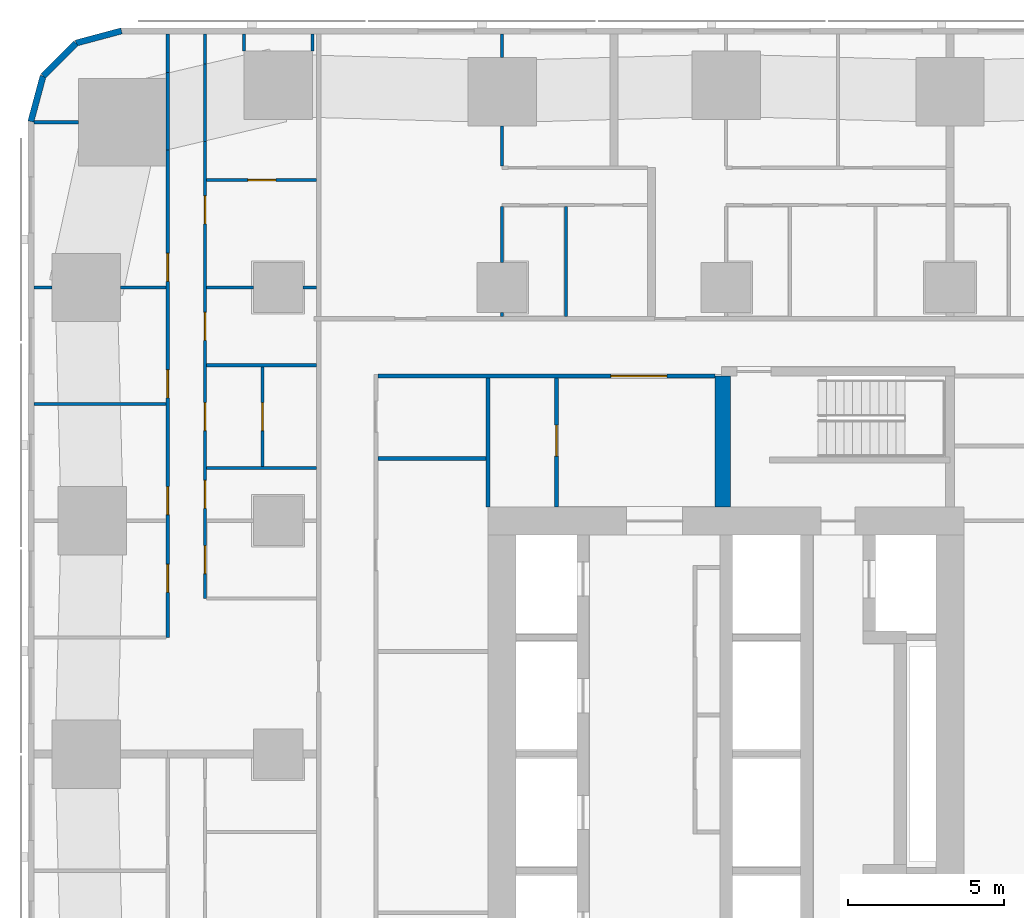
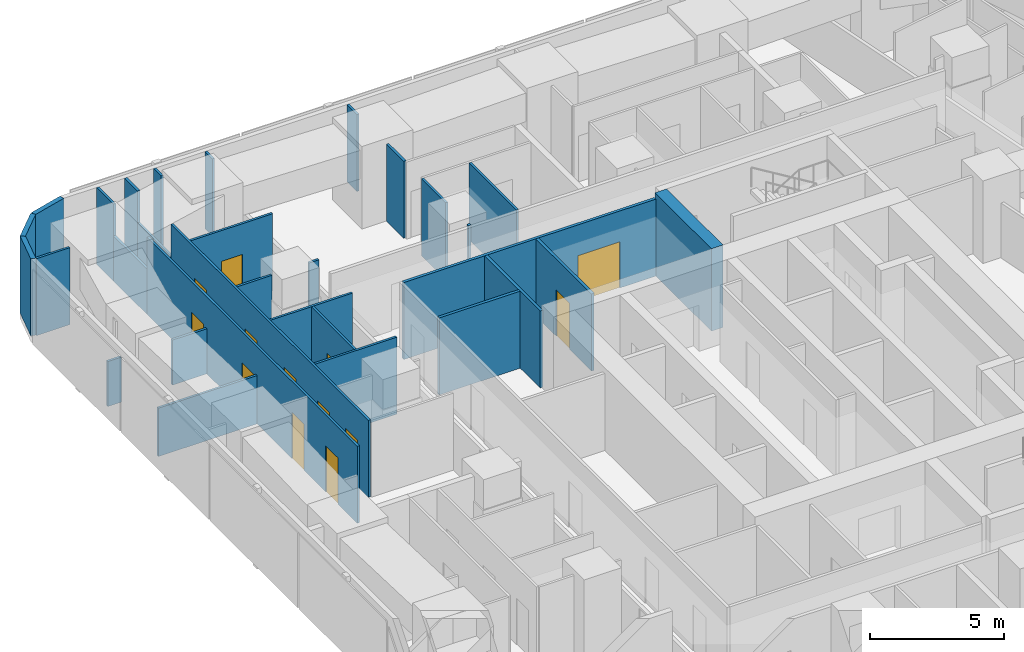
# One storey, part 9 of 17: 31 walls, 13 doors, 13 openings.
"""IFC4 building model written with IfcOpenShell, lengths in metres."""

from ifc_helpers import new_model, si_unit, direction, frame, frame_2d, origin, place, context, subcontext, project, spatial, rectangle, extrude, material, layer, layer_set, type_object, element, fill, save


model = new_model("IFC4")

# Units and contexts
model_context = context("Model", 3, precision=1e-05, world=origin(), true_north=direction((0.0, 1.0)))
body_context = subcontext(model_context, "Body", "Model", "MODEL_VIEW")
ifc_project = project(units=[si_unit("LENGTHUNIT", "METRE"), si_unit("AREAUNIT", "SQUARE_METRE"), si_unit("VOLUMEUNIT", "CUBIC_METRE"), si_unit("PLANEANGLEUNIT", "RADIAN"), si_unit("MASSUNIT", "GRAM", prefix="KILO")], contexts=[model_context])

# Site, building, storey
site_placement = place(None, origin())
site = spatial("IfcSite", under=ifc_project, at=site_placement, CompositionType="ELEMENT")
building_placement = place(site_placement, origin())
building = spatial("IfcBuilding", under=site, at=building_placement, Name="Sheger Commons Tower", CompositionType="ELEMENT")
storey_placement = place(building_placement, frame((0.0, 0.0, 111.64990234375)))
storey = spatial("IfcBuildingStorey", under=building, at=storey_placement, Name="L28", CompositionType="ELEMENT", Elevation=111.64990234375)

# Walls
ifc_material_1 = material(Name="Rendered concrete block masonry, dark grey", Category="masonry")
ifc_layer_1 = layer(ifc_material_1, 0.199951171875)
ifc_layer_set_1 = layer_set([ifc_layer_1], Name="FACADE WALL 200")
wall_type_1 = type_object("IfcWallType", Name="FACADE WALL 200", PredefinedType="SOLIDWALL", material=ifc_layer_set_1)
wall_1_placement = place(storey_placement, frame((2.1630859375, 45.75, 0.0), z_axis=(0.0, 0.0, 1.0), x_axis=(-0.965832000415, -0.259168954497, 0.0)))
element("IfcWall", 1, at=wall_1_placement, inside=storey, type_object=wall_type_1, Name="Facade wall L28", PredefinedType="SOLIDWALL", context=body_context, shape_type="SweptSolid", body=[
    extrude(rectangle(XDim=1.512939453125, YDim=0.199951171875, at=frame_2d((0.75634765625, 0.0))), origin(), (0.0, 0.0, 1.0), 3.5),
])
wall_2_placement = place(storey_placement, frame((0.701904296875, 45.35791015625, 0.0), z_axis=(0.0, 0.0, 1.0), x_axis=(-0.707106781187, -0.707106781187, 0.0)))
element("IfcWall", 2, at=wall_2_placement, inside=storey, type_object=wall_type_1, Name="Facade wall L28", PredefinedType="SOLIDWALL", context=body_context, shape_type="SweptSolid", body=[
    extrude(rectangle(XDim=1.498779296875, YDim=0.199951171875, at=frame_2d((0.74951171875, 0.0))), origin(), (0.0, 0.0, 1.0), 3.5),
])
wall_3_placement = place(storey_placement, frame((-0.35791015625, 44.298095703125, 0.0), z_axis=(0.0, 0.0, 1.0), x_axis=(-0.259168954497, -0.965832000415, 0.0)))
element("IfcWall", 3, at=wall_3_placement, inside=storey, type_object=wall_type_1, Name="Facade wall L28", PredefinedType="SOLIDWALL", context=body_context, shape_type="SweptSolid", body=[
    extrude(rectangle(XDim=1.512939453125, YDim=0.199951171875, at=frame_2d((0.75634765625, 0.0))), origin(), (0.0, 0.0, 1.0), 3.5),
])
ifc_material_2 = material(Name="Gypsum board on steel studs", Category="steel")
ifc_layer_2 = layer(ifc_material_2, 0.10009765625)
ifc_layer_set_2 = layer_set([ifc_layer_2], Name="PARTITION 100")
wall_type_2 = type_object("IfcWallType", Name="PARTITION 100", PredefinedType="PARTITIONING", material=ifc_layer_set_2)
for number, where, z_axis, x_axis, name in (
    (4, (6.10009765625, 45.10009765625, 0.0), (0.0, 0.0, 1.0), (0.0, 1.0, 0.0), "Partition L28"),
    (5, (8.300048828125, 45.64990234375, 0.0), (0.0, 0.0, 1.0), (0.0, -1.0, 0.0), "Partition L28"),
):
    element("IfcWall", number, at=place(storey_placement, frame(where, z_axis=z_axis, x_axis=x_axis)), inside=storey, type_object=wall_type_2, Name=name, PredefinedType="PARTITIONING", context=body_context, shape_type="SweptSolid", body=[
        extrude(rectangle(XDim=0.5498046875, YDim=0.10009765625, at=frame_2d((0.27490234375, 0.0))), origin(), (0.0, 0.0, 1.0), 3.5),
    ])

# Wall, openings, doors
wall_4_placement = place(storey_placement, frame((3.64990234375, 26.25, 0.0), z_axis=(0.0, 0.0, 1.0), x_axis=(0.0, 1.0, 0.0)))
wall_4 = element("IfcWall", 6, at=wall_4_placement, inside=storey, type_object=wall_type_2, Name="Partition L28", PredefinedType="PARTITIONING", context=body_context, shape_type="SweptSolid", body=[
    extrude(rectangle(XDim=15.6650390625, YDim=0.10009765625, at=frame_2d((7.83251953125, 0.0))), origin(), (0.0, 0.0, 1.0), 3.5),
])
opening_1_placement = place(wall_4_placement, frame((1.448974609375, 0.0, 0.0)))
opening_1 = element("IfcOpeningElement", 7, at=opening_1_placement, cuts=wall_4, Name="Opening D2", PredefinedType="OPENING", context=body_context, shape_type="SweptSolid", body=[
    extrude(rectangle(XDim=0.89990234375, YDim=2.10009765625, at=frame_2d((0.449951171875, 1.050048828125))), frame((0.0, 0.06005859375, 0.0), z_axis=(0.0, -1.0, 0.0), x_axis=(1.0, 0.0, 0.0)), (0.0, 0.0, 1.0), 0.1201171875),
])
opening_2_placement = place(wall_4_placement, frame((3.949951171875, 0.0, 0.0)))
opening_2 = element("IfcOpeningElement", 8, at=opening_2_placement, cuts=wall_4, Name="Opening D2", PredefinedType="OPENING", context=body_context, shape_type="SweptSolid", body=[
    extrude(rectangle(XDim=0.89990234375, YDim=2.10009765625, at=frame_2d((0.449951171875, 1.050048828125))), frame((0.0, 0.06005859375, 0.0), z_axis=(0.0, -1.0, 0.0), x_axis=(1.0, 0.0, 0.0)), (0.0, 0.0, 1.0), 0.1201171875),
])
opening_3_placement = place(wall_4_placement, frame((7.699951171875, 0.0, 0.0)))
opening_3 = element("IfcOpeningElement", 9, at=opening_3_placement, cuts=wall_4, Name="Opening D2", PredefinedType="OPENING", context=body_context, shape_type="SweptSolid", body=[
    extrude(rectangle(XDim=0.89990234375, YDim=2.10009765625, at=frame_2d((0.449951171875, 1.050048828125))), frame((0.0, 0.06005859375, 0.0), z_axis=(0.0, -1.0, 0.0), x_axis=(1.0, 0.0, 0.0)), (0.0, 0.0, 1.0), 0.1201171875),
])
opening_4_placement = place(wall_4_placement, frame((11.449951171875, 0.0, 0.0)))
opening_4 = element("IfcOpeningElement", 10, at=opening_4_placement, cuts=wall_4, Name="Opening D2", PredefinedType="OPENING", context=body_context, shape_type="SweptSolid", body=[
    extrude(rectangle(XDim=0.89990234375, YDim=2.10009765625, at=frame_2d((0.449951171875, 1.050048828125))), frame((0.0, 0.06005859375, 0.0), z_axis=(0.0, -1.0, 0.0), x_axis=(1.0, 0.0, 0.0)), (0.0, 0.0, 1.0), 0.1201171875),
])
ifc_material_3 = material(Name="Timber door set", Category="wood")
door_type_1 = type_object("IfcDoorType", Name="INTERNAL DOOR 900x2100", OperationType="NOTDEFINED", PredefinedType="DOOR", material=ifc_material_3)
door_1_placement = place(opening_1_placement, origin())
door_1 = element("IfcDoor", 11, at=door_1_placement, inside=storey, type_object=door_type_1, Name="Main bedroom door", OperationType="SINGLE_SWING_LEFT", OverallHeight=2.10009765625, OverallWidth=0.89990234375, PredefinedType="DOOR", context=body_context, shape_type="SweptSolid", body=[
    extrude(rectangle(XDim=0.89990234375, YDim=2.10009765625, at=frame_2d((0.449951171875, 1.050048828125))), frame((0.0, 0.02490234375, 0.0), z_axis=(0.0, -1.0, 0.0), x_axis=(1.0, 0.0, 0.0)), (0.0, 0.0, 1.0), 0.050048828125),
])
fill(opening_1, door_1)
door_2_placement = place(opening_2_placement, origin())
door_2 = element("IfcDoor", 12, at=door_2_placement, inside=storey, type_object=door_type_1, Name="Bedroom 2 door", OperationType="SINGLE_SWING_LEFT", OverallHeight=2.10009765625, OverallWidth=0.89990234375, PredefinedType="DOOR", context=body_context, shape_type="SweptSolid", body=[
    extrude(rectangle(XDim=0.89990234375, YDim=2.10009765625, at=frame_2d((0.449951171875, 1.050048828125))), frame((0.0, 0.02490234375, 0.0), z_axis=(0.0, -1.0, 0.0), x_axis=(1.0, 0.0, 0.0)), (0.0, 0.0, 1.0), 0.050048828125),
])
fill(opening_2, door_2)
door_3_placement = place(opening_3_placement, origin())
door_3 = element("IfcDoor", 13, at=door_3_placement, inside=storey, type_object=door_type_1, Name="Bedroom 3 door", OperationType="SINGLE_SWING_LEFT", OverallHeight=2.10009765625, OverallWidth=0.89990234375, PredefinedType="DOOR", context=body_context, shape_type="SweptSolid", body=[
    extrude(rectangle(XDim=0.89990234375, YDim=2.10009765625, at=frame_2d((0.449951171875, 1.050048828125))), frame((0.0, 0.02490234375, 0.0), z_axis=(0.0, -1.0, 0.0), x_axis=(1.0, 0.0, 0.0)), (0.0, 0.0, 1.0), 0.050048828125),
])
fill(opening_3, door_3)
door_4_placement = place(opening_4_placement, origin())
door_4 = element("IfcDoor", 14, at=door_4_placement, inside=storey, type_object=door_type_1, Name="Bedroom 4 door", OperationType="SINGLE_SWING_LEFT", OverallHeight=2.10009765625, OverallWidth=0.89990234375, PredefinedType="DOOR", context=body_context, shape_type="SweptSolid", body=[
    extrude(rectangle(XDim=0.89990234375, YDim=2.10009765625, at=frame_2d((0.449951171875, 1.050048828125))), frame((0.0, 0.02490234375, 0.0), z_axis=(0.0, -1.0, 0.0), x_axis=(1.0, 0.0, 0.0)), (0.0, 0.0, 1.0), 0.050048828125),
])
fill(opening_4, door_4)

# Walls
wall_5_placement = place(storey_placement, frame((3.64990234375, 41.9150390625, 0.0), z_axis=(0.0, 0.0, 1.0), x_axis=(0.0, 1.0, 0.0)))
element("IfcWall", 15, at=wall_5_placement, inside=storey, type_object=wall_type_2, Name="Partition L28", PredefinedType="PARTITIONING", context=body_context, shape_type="SweptSolid", body=[
    extrude(rectangle(XDim=2.489990234375, YDim=0.10009765625, at=frame_2d((1.2451171875, 0.0))), origin(), (0.0, 0.0, 1.0), 2.050048828125),
])
wall_6_placement = place(storey_placement, frame((3.64990234375, 44.405029296875, 0.0), z_axis=(0.0, 0.0, 1.0), x_axis=(0.0, 1.0, 0.0)))
element("IfcWall", 16, at=wall_6_placement, inside=storey, type_object=wall_type_2, Name="Partition L28", PredefinedType="PARTITIONING", context=body_context, shape_type="SweptSolid", body=[
    extrude(rectangle(XDim=1.244873046875, YDim=0.10009765625, at=frame_2d((0.62255859375, 0.0))), origin(), (0.0, 0.0, 1.0), 3.5),
])

# Wall, openings, doors
wall_7_placement = place(storey_placement, frame((4.85009765625, 27.4990234375, 0.0), z_axis=(0.0, 0.0, 1.0), x_axis=(0.0, 1.0, 0.0)))
wall_7 = element("IfcWall", 17, at=wall_7_placement, inside=storey, type_object=wall_type_2, Name="Partition L28", PredefinedType="PARTITIONING", context=body_context, shape_type="SweptSolid", body=[
    extrude(rectangle(XDim=14.699951171875, YDim=0.10009765625, at=frame_2d((7.35009765625, 0.0))), origin(), (0.0, 0.0, 1.0), 3.5),
])
opening_5_placement = place(wall_7_placement, frame((0.800048828125, 0.0, 0.0)))
opening_5 = element("IfcOpeningElement", 18, at=opening_5_placement, cuts=wall_7, Name="Opening D2", PredefinedType="OPENING", context=body_context, shape_type="SweptSolid", body=[
    extrude(rectangle(XDim=0.89990234375, YDim=2.10009765625, at=frame_2d((0.449951171875, 1.050048828125))), frame((0.0, 0.06005859375, 0.0), z_axis=(0.0, -1.0, 0.0), x_axis=(1.0, 0.0, 0.0)), (0.0, 0.0, 1.0), 0.1201171875),
])
opening_6_placement = place(wall_7_placement, frame((2.90087890625, 0.0, 0.0)))
opening_6 = element("IfcOpeningElement", 19, at=opening_6_placement, cuts=wall_7, Name="Opening D2", PredefinedType="OPENING", context=body_context, shape_type="SweptSolid", body=[
    extrude(rectangle(XDim=0.89990234375, YDim=2.10009765625, at=frame_2d((0.449951171875, 1.050048828125))), frame((0.0, 0.06005859375, 0.0), z_axis=(0.0, -1.0, 0.0), x_axis=(1.0, 0.0, 0.0)), (0.0, 0.0, 1.0), 0.1201171875),
])
opening_7_placement = place(wall_7_placement, frame((8.300048828125, 0.0, 0.0)))
opening_7 = element("IfcOpeningElement", 20, at=opening_7_placement, cuts=wall_7, Name="Opening D2", PredefinedType="OPENING", context=body_context, shape_type="SweptSolid", body=[
    extrude(rectangle(XDim=0.89990234375, YDim=2.10009765625, at=frame_2d((0.449951171875, 1.050048828125))), frame((0.0, 0.06005859375, 0.0), z_axis=(0.0, -1.0, 0.0), x_axis=(1.0, 0.0, 0.0)), (0.0, 0.0, 1.0), 0.1201171875),
])
opening_8_placement = place(wall_7_placement, frame((12.050048828125, 0.0, 0.0)))
opening_8 = element("IfcOpeningElement", 21, at=opening_8_placement, cuts=wall_7, Name="Opening D2", PredefinedType="OPENING", context=body_context, shape_type="SweptSolid", body=[
    extrude(rectangle(XDim=0.89990234375, YDim=2.10009765625, at=frame_2d((0.449951171875, 1.050048828125))), frame((0.0, 0.06005859375, 0.0), z_axis=(0.0, -1.0, 0.0), x_axis=(1.0, 0.0, 0.0)), (0.0, 0.0, 1.0), 0.1201171875),
])
opening_9_placement = place(wall_7_placement, frame((5.39990234375, 0.0, 0.0)))
opening_9 = element("IfcOpeningElement", 22, at=opening_9_placement, cuts=wall_7, Name="Opening D2", PredefinedType="OPENING", context=body_context, shape_type="SweptSolid", body=[
    extrude(rectangle(XDim=0.89990234375, YDim=2.10009765625, at=frame_2d((0.449951171875, 1.050048828125))), frame((0.0, 0.06005859375, 0.0), z_axis=(0.0, -1.0, 0.0), x_axis=(1.0, 0.0, 0.0)), (0.0, 0.0, 1.0), 0.1201171875),
])
door_5_placement = place(opening_5_placement, origin())
door_5 = element("IfcDoor", 23, at=door_5_placement, inside=storey, type_object=door_type_1, Name="Bathroom door", OperationType="SINGLE_SWING_RIGHT", OverallHeight=2.10009765625, OverallWidth=0.89990234375, PredefinedType="DOOR", context=body_context, shape_type="SweptSolid", body=[
    extrude(rectangle(XDim=0.89990234375, YDim=2.10009765625, at=frame_2d((0.449951171875, 1.050048828125))), frame((0.0, 0.02490234375, 0.0), z_axis=(0.0, -1.0, 0.0), x_axis=(1.0, 0.0, 0.0)), (0.0, 0.0, 1.0), 0.050048828125),
])
fill(opening_5, door_5)
door_6_placement = place(opening_6_placement, origin())
door_6 = element("IfcDoor", 24, at=door_6_placement, inside=storey, type_object=door_type_1, Name="Laundry room door", OperationType="SINGLE_SWING_RIGHT", OverallHeight=2.10009765625, OverallWidth=0.89990234375, PredefinedType="DOOR", context=body_context, shape_type="SweptSolid", body=[
    extrude(rectangle(XDim=0.89990234375, YDim=2.10009765625, at=frame_2d((0.449951171875, 1.050048828125))), frame((0.0, 0.02490234375, 0.0), z_axis=(0.0, -1.0, 0.0), x_axis=(1.0, 0.0, 0.0)), (0.0, 0.0, 1.0), 0.050048828125),
])
fill(opening_6, door_6)
door_7_placement = place(opening_7_placement, origin())
door_7 = element("IfcDoor", 25, at=door_7_placement, inside=storey, type_object=door_type_1, Name="Store and laundry door", OperationType="SINGLE_SWING_RIGHT", OverallHeight=2.10009765625, OverallWidth=0.89990234375, PredefinedType="DOOR", context=body_context, shape_type="SweptSolid", body=[
    extrude(rectangle(XDim=0.89990234375, YDim=2.10009765625, at=frame_2d((0.449951171875, 1.050048828125))), frame((0.0, 0.02490234375, 0.0), z_axis=(0.0, -1.0, 0.0), x_axis=(1.0, 0.0, 0.0)), (0.0, 0.0, 1.0), 0.050048828125),
])
fill(opening_7, door_7)
door_8_placement = place(opening_8_placement, origin())
door_8 = element("IfcDoor", 26, at=door_8_placement, inside=storey, type_object=door_type_1, Name="Store and laundry door", OperationType="SINGLE_SWING_LEFT", OverallHeight=2.10009765625, OverallWidth=0.89990234375, PredefinedType="DOOR", context=body_context, shape_type="SweptSolid", body=[
    extrude(rectangle(XDim=0.89990234375, YDim=2.10009765625, at=frame_2d((0.449951171875, 1.050048828125))), frame((0.0, 0.02490234375, 0.0), z_axis=(0.0, -1.0, 0.0), x_axis=(1.0, 0.0, 0.0)), (0.0, 0.0, 1.0), 0.050048828125),
])
fill(opening_8, door_8)
door_9_placement = place(opening_9_placement, origin())
door_9 = element("IfcDoor", 27, at=door_9_placement, inside=storey, type_object=door_type_1, Name="Store door", OperationType="SINGLE_SWING_LEFT", OverallHeight=2.10009765625, OverallWidth=0.89990234375, PredefinedType="DOOR", context=body_context, shape_type="SweptSolid", body=[
    extrude(rectangle(XDim=0.89990234375, YDim=2.10009765625, at=frame_2d((0.449951171875, 1.050048828125))), frame((0.0, 0.02490234375, 0.0), z_axis=(0.0, -1.0, 0.0), x_axis=(1.0, 0.0, 0.0)), (0.0, 0.0, 1.0), 0.050048828125),
])
fill(opening_9, door_9)

# Walls
wall_8_placement = place(storey_placement, frame((4.85009765625, 42.198974609375, 0.0), z_axis=(0.0, 0.0, 1.0), x_axis=(0.0, 1.0, 0.0)))
element("IfcWall", 28, at=wall_8_placement, inside=storey, type_object=wall_type_2, Name="Partition L28", PredefinedType="PARTITIONING", context=body_context, shape_type="SweptSolid", body=[
    extrude(rectangle(XDim=2.489990234375, YDim=0.10009765625, at=frame_2d((1.2451171875, 0.0))), origin(), (0.0, 0.0, 1.0), 2.050048828125),
])
wall_9_placement = place(storey_placement, frame((4.85009765625, 44.68896484375, 0.0), z_axis=(0.0, 0.0, 1.0), x_axis=(0.0, 1.0, 0.0)))
element("IfcWall", 29, at=wall_9_placement, inside=storey, type_object=wall_type_2, Name="Partition L28", PredefinedType="PARTITIONING", context=body_context, shape_type="SweptSolid", body=[
    extrude(rectangle(XDim=0.9609375, YDim=0.10009765625, at=frame_2d((0.48046875, 0.0))), origin(), (0.0, 0.0, 1.0), 3.5),
])
wall_10_placement = place(storey_placement, frame((-0.64990234375, 33.75, 0.0), z_axis=(0.0, 0.0, 1.0), x_axis=(1.0, 0.0, 0.0)))
element("IfcWall", 30, at=wall_10_placement, inside=storey, type_object=wall_type_2, Name="Partition L28", PredefinedType="PARTITIONING", context=body_context, shape_type="SweptSolid", body=[
    extrude(rectangle(XDim=4.25, YDim=0.10009765625, at=frame_2d((2.125, 0.0))), origin(), (0.0, 0.0, 1.0), 2.2001953125),
])
wall_11_placement = place(storey_placement, frame((-0.64990234375, 37.5, 0.0), z_axis=(0.0, 0.0, 1.0), x_axis=(1.0, 0.0, 0.0)))
element("IfcWall", 31, at=wall_11_placement, inside=storey, type_object=wall_type_2, Name="Partition L28", PredefinedType="PARTITIONING", context=body_context, shape_type="SweptSolid", body=[
    extrude(rectangle(XDim=0.573974609375, YDim=0.10009765625, at=frame_2d((0.287109375, 0.0))), origin(), (0.0, 0.0, 1.0), 2.050048828125),
])
wall_12_placement = place(storey_placement, frame((2.1259765625, 37.5, 0.0), z_axis=(0.0, 0.0, 1.0), x_axis=(1.0, 0.0, 0.0)))
element("IfcWall", 32, at=wall_12_placement, inside=storey, type_object=wall_type_2, Name="Partition L28", PredefinedType="PARTITIONING", context=body_context, shape_type="SweptSolid", body=[
    extrude(rectangle(XDim=1.47412109375, YDim=0.10009765625, at=frame_2d((0.737060546875, 0.0))), origin(), (0.0, 0.0, 1.0), 2.050048828125),
])
wall_13_placement = place(storey_placement, frame((-0.64990234375, 42.81396484375, 0.0), z_axis=(0.0, 0.0, 1.0), x_axis=(1.0, 0.0, 0.0)))
element("IfcWall", 33, at=wall_13_placement, inside=storey, type_object=wall_type_2, Name="Partition L28", PredefinedType="PARTITIONING", context=body_context, shape_type="SweptSolid", body=[
    extrude(rectangle(XDim=1.434814453125, YDim=0.10009765625, at=frame_2d((0.71728515625, 0.0))), origin(), (0.0, 0.0, 1.0), 3.5),
])
wall_14_placement = place(storey_placement, frame((4.89990234375, 34.9990234375, 0.0), z_axis=(0.0, 0.0, 1.0), x_axis=(1.0, 0.0, 0.0)))
element("IfcWall", 34, at=wall_14_placement, inside=storey, type_object=wall_type_2, Name="Partition L28", PredefinedType="PARTITIONING", context=body_context, shape_type="SweptSolid", body=[
    extrude(rectangle(XDim=3.525146484375, YDim=0.10009765625, at=frame_2d((1.7626953125, 0.0))), origin(), (0.0, 0.0, 1.0), 3.5),
])
wall_15_placement = place(storey_placement, frame((4.89990234375, 37.5, 0.0), z_axis=(0.0, 0.0, 1.0), x_axis=(1.0, 0.0, 0.0)))
element("IfcWall", 35, at=wall_15_placement, inside=storey, type_object=wall_type_2, Name="Partition L28", PredefinedType="PARTITIONING", context=body_context, shape_type="SweptSolid", body=[
    extrude(rectangle(XDim=1.4990234375, YDim=0.10009765625, at=frame_2d((0.74951171875, 0.0))), origin(), (0.0, 0.0, 1.0), 3.5),
])
wall_16_placement = place(storey_placement, frame((8.0009765625, 37.5, 0.0), z_axis=(0.0, 0.0, 1.0), x_axis=(1.0, 0.0, 0.0)))
element("IfcWall", 36, at=wall_16_placement, inside=storey, type_object=wall_type_2, Name="Partition L28", PredefinedType="PARTITIONING", context=body_context, shape_type="SweptSolid", body=[
    extrude(rectangle(XDim=0.424072265625, YDim=0.10009765625, at=frame_2d((0.2119140625, 0.0))), origin(), (0.0, 0.0, 1.0), 3.5),
])
wall_17_placement = place(storey_placement, frame((4.89990234375, 31.699951171875, 0.0), z_axis=(0.0, 0.0, 1.0), x_axis=(1.0, 0.0, 0.0)))
element("IfcWall", 37, at=wall_17_placement, inside=storey, type_object=wall_type_2, Name="Partition L28", PredefinedType="PARTITIONING", context=body_context, shape_type="SweptSolid", body=[
    extrude(rectangle(XDim=3.525146484375, YDim=0.10009765625, at=frame_2d((1.7626953125, 0.0))), origin(), (0.0, 0.0, 1.0), 3.5),
])
wall_18_placement = place(storey_placement, frame((14.39990234375, 41.39990234375, 0.0), z_axis=(0.0, 0.0, 1.0), x_axis=(0.0, 1.0, 0.0)))
element("IfcWall", 38, at=wall_18_placement, inside=storey, type_object=wall_type_2, Name="Partition L28", PredefinedType="PARTITIONING", context=body_context, shape_type="SweptSolid", body=[
    extrude(rectangle(XDim=1.299072265625, YDim=0.10009765625, at=frame_2d((0.6494140625, 0.0))), origin(), (0.0, 0.0, 1.0), 3.5),
])
wall_19_placement = place(storey_placement, frame((14.39990234375, 44.90087890625, 0.0), z_axis=(0.0, 0.0, 1.0), x_axis=(0.0, 1.0, 0.0)))
element("IfcWall", 39, at=wall_19_placement, inside=storey, type_object=wall_type_2, Name="Partition L28", PredefinedType="PARTITIONING", context=body_context, shape_type="SweptSolid", body=[
    extrude(rectangle(XDim=0.7490234375, YDim=0.10009765625, at=frame_2d((0.37451171875, 0.0))), origin(), (0.0, 0.0, 1.0), 3.5),
])
wall_20_placement = place(storey_placement, frame((14.39990234375, 36.574951171875, 0.0), z_axis=(0.0, 0.0, 1.0), x_axis=(0.0, 1.0, 0.0)))
element("IfcWall", 40, at=wall_20_placement, inside=storey, type_object=wall_type_2, Name="Partition L28", PredefinedType="PARTITIONING", context=body_context, shape_type="SweptSolid", body=[
    extrude(rectangle(XDim=0.1240234375, YDim=0.10009765625, at=frame_2d((0.06201171875, 0.0))), origin(), (0.0, 0.0, 1.0), 3.5),
])
wall_21_placement = place(storey_placement, frame((14.39990234375, 38.301025390625, 0.0), z_axis=(0.0, 0.0, 1.0), x_axis=(0.0, 1.0, 0.0)))
element("IfcWall", 41, at=wall_21_placement, inside=storey, type_object=wall_type_2, Name="Partition L28", PredefinedType="PARTITIONING", context=body_context, shape_type="SweptSolid", body=[
    extrude(rectangle(XDim=1.799072265625, YDim=0.10009765625, at=frame_2d((0.8994140625, 0.0))), origin(), (0.0, 0.0, 1.0), 3.5),
])
wall_22_placement = place(storey_placement, frame((16.449951171875, 36.574951171875, 0.0), z_axis=(0.0, 0.0, 1.0), x_axis=(0.0, 1.0, 0.0)))
element("IfcWall", 42, at=wall_22_placement, inside=storey, type_object=wall_type_2, Name="Partition L28", PredefinedType="PARTITIONING", context=body_context, shape_type="SweptSolid", body=[
    extrude(rectangle(XDim=3.525146484375, YDim=0.10009765625, at=frame_2d((1.7626953125, 0.0))), origin(), (0.0, 0.0, 1.0), 3.5),
])

# Wall, opening, door
wall_23_placement = place(storey_placement, frame((6.699951171875, 31.75, 0.0), z_axis=(0.0, 0.0, 1.0), x_axis=(0.0, 1.0, 0.0)))
wall_23 = element("IfcWall", 43, at=wall_23_placement, inside=storey, type_object=wall_type_2, Name="Partition L28", PredefinedType="PARTITIONING", context=body_context, shape_type="SweptSolid", body=[
    extrude(rectangle(XDim=3.198974609375, YDim=0.10009765625, at=frame_2d((1.599609375, 0.0))), origin(), (0.0, 0.0, 1.0), 3.5),
])
opening_10_placement = place(wall_23_placement, frame((1.14892578125, 0.0, 0.0)))
opening_10 = element("IfcOpeningElement", 44, at=opening_10_placement, cuts=wall_23, Name="Opening D2", PredefinedType="OPENING", context=body_context, shape_type="SweptSolid", body=[
    extrude(rectangle(XDim=0.89990234375, YDim=2.10009765625, at=frame_2d((0.449951171875, 1.050048828125))), frame((0.0, 0.06005859375, 0.0), z_axis=(0.0, -1.0, 0.0), x_axis=(1.0, 0.0, 0.0)), (0.0, 0.0, 1.0), 0.1201171875),
])
door_10_placement = place(opening_10_placement, origin())
door_10 = element("IfcDoor", 45, at=door_10_placement, inside=storey, type_object=door_type_1, Name="Store door", OperationType="SINGLE_SWING_LEFT", OverallHeight=2.10009765625, OverallWidth=0.89990234375, PredefinedType="DOOR", context=body_context, shape_type="SweptSolid", body=[
    extrude(rectangle(XDim=0.89990234375, YDim=2.10009765625, at=frame_2d((0.449951171875, 1.050048828125))), frame((0.0, 0.02490234375, 0.0), z_axis=(0.0, -1.0, 0.0), x_axis=(1.0, 0.0, 0.0)), (0.0, 0.0, 1.0), 0.050048828125),
])
fill(opening_10, door_10)

wall_24_placement = place(storey_placement, frame((8.425048828125, 40.949951171875, 0.0), z_axis=(0.0, 0.0, 1.0), x_axis=(-1.0, 0.0, 0.0)))
wall_24 = element("IfcWall", 46, at=wall_24_placement, inside=storey, type_object=wall_type_2, Name="Partition L28", PredefinedType="PARTITIONING", context=body_context, shape_type="SweptSolid", body=[
    extrude(rectangle(XDim=3.525146484375, YDim=0.10009765625, at=frame_2d((1.7626953125, 0.0))), origin(), (0.0, 0.0, 1.0), 3.5),
])
opening_11_placement = place(wall_24_placement, frame((1.300048828125, 0.0, 0.0)))
opening_11 = element("IfcOpeningElement", 47, at=opening_11_placement, cuts=wall_24, Name="Opening D2", PredefinedType="OPENING", context=body_context, shape_type="SweptSolid", body=[
    extrude(rectangle(XDim=0.89990234375, YDim=2.10009765625, at=frame_2d((0.449951171875, 1.050048828125))), frame((0.0, 0.06005859375, 0.0), z_axis=(0.0, -1.0, 0.0), x_axis=(1.0, 0.0, 0.0)), (0.0, 0.0, 1.0), 0.1201171875),
])
door_11_placement = place(opening_11_placement, origin())
door_11 = element("IfcDoor", 48, at=door_11_placement, inside=storey, type_object=door_type_1, Name="Store door", OperationType="SINGLE_SWING_LEFT", OverallHeight=2.10009765625, OverallWidth=0.89990234375, PredefinedType="DOOR", context=body_context, shape_type="SweptSolid", body=[
    extrude(rectangle(XDim=0.89990234375, YDim=2.10009765625, at=frame_2d((0.449951171875, 1.050048828125))), frame((0.0, 0.02490234375, 0.0), z_axis=(0.0, -1.0, 0.0), x_axis=(1.0, 0.0, 0.0)), (0.0, 0.0, 1.0), 0.050048828125),
])
fill(opening_11, door_11)

# Walls
ifc_material_4 = material(Name="Gypsum board on steel studs, two layers each side, fire rated", Category="steel")
ifc_layer_3 = layer(ifc_material_4, 0.125)
ifc_layer_set_3 = layer_set([ifc_layer_3], Name="SERVICE WALL 125")
wall_type_3 = type_object("IfcWallType", Name="SERVICE WALL 125", PredefinedType="PARTITIONING", material=ifc_layer_set_3)
wall_25_placement = place(storey_placement, frame((10.4130859375, 32.0, 0.0), z_axis=(0.0, 0.0, 1.0), x_axis=(1.0, 0.0, 0.0)))
element("IfcWall", 49, at=wall_25_placement, inside=storey, type_object=wall_type_3, Name="Service room wall L28", PredefinedType="PARTITIONING", context=body_context, shape_type="SweptSolid", body=[
    extrude(rectangle(XDim=3.474853515625, YDim=0.125, at=frame_2d((1.7373046875, 0.0))), origin(), (0.0, 0.0, 1.0), 3.5),
])
wall_26_placement = place(storey_placement, frame((13.949951171875, 30.449951171875, 0.0), z_axis=(0.0, 0.0, 1.0), x_axis=(0.0, 1.0, 0.0)))
element("IfcWall", 50, at=wall_26_placement, inside=storey, type_object=wall_type_3, Name="Service room wall L28", PredefinedType="PARTITIONING", context=body_context, shape_type="SweptSolid", body=[
    extrude(rectangle(XDim=4.136962890625, YDim=0.125, at=frame_2d((2.068359375, 0.0))), origin(), (0.0, 0.0, 1.0), 3.5),
])

# Wall, opening, door
wall_27_placement = place(storey_placement, frame((10.4130859375, 34.64990234375, 0.0), z_axis=(0.0, 0.0, 1.0), x_axis=(1.0, 0.0, 0.0)))
wall_27 = element("IfcWall", 51, at=wall_27_placement, inside=storey, type_object=wall_type_3, Name="Service room wall L28", PredefinedType="PARTITIONING", context=body_context, shape_type="SweptSolid", body=[
    extrude(rectangle(XDim=10.8369140625, YDim=0.125, at=frame_2d((5.41845703125, 0.0))), origin(), (0.0, 0.0, 1.0), 3.5),
])
opening_12_placement = place(wall_27_placement, frame((7.487060546875, 0.0, 0.0)))
opening_12 = element("IfcOpeningElement", 52, at=opening_12_placement, cuts=wall_27, Name="Opening D6", PredefinedType="OPENING", context=body_context, shape_type="SweptSolid", body=[
    extrude(rectangle(XDim=1.800048828125, YDim=2.10009765625, at=frame_2d((0.89990234375, 1.050048828125))), frame((0.0, 0.072509765625, 0.0), z_axis=(0.0, -1.0, 0.0), x_axis=(1.0, 0.0, 0.0)), (0.0, 0.0, 1.0), 0.14501953125),
])
ifc_material_5 = material(Name="Steel door set, fire rated", Category="steel")
door_type_2 = type_object("IfcDoorType", Name="LOBBY DOUBLE DOOR 1800x2100", OperationType="DOUBLE_DOOR_SINGLE_SWING", PredefinedType="DOOR", material=ifc_material_5)
door_12_placement = place(opening_12_placement, origin())
door_12 = element("IfcDoor", 53, at=door_12_placement, inside=storey, type_object=door_type_2, Name="Lift lobby north door", OperationType="DOUBLE_DOOR_SINGLE_SWING", OverallHeight=2.10009765625, OverallWidth=1.800048828125, PredefinedType="DOOR", context=body_context, shape_type="SweptSolid", body=[
    extrude(rectangle(XDim=1.800048828125, YDim=2.10009765625, at=frame_2d((0.89990234375, 1.050048828125))), frame((0.0, 0.02490234375, 0.0), z_axis=(0.0, -1.0, 0.0), x_axis=(1.0, 0.0, 0.0)), (0.0, 0.0, 1.0), 0.050048828125),
])
fill(opening_12, door_12)

wall_28_placement = place(storey_placement, frame((16.14990234375, 30.449951171875, 0.0), z_axis=(0.0, 0.0, 1.0), x_axis=(0.0, 1.0, 0.0)))
wall_28 = element("IfcWall", 54, at=wall_28_placement, inside=storey, type_object=wall_type_3, Name="Service room wall L28", PredefinedType="PARTITIONING", context=body_context, shape_type="SweptSolid", body=[
    extrude(rectangle(XDim=4.136962890625, YDim=0.125, at=frame_2d((2.068359375, 0.0))), origin(), (0.0, 0.0, 1.0), 3.5),
])
opening_13_placement = place(wall_28_placement, frame((1.625, 0.0, 0.0)))
opening_13 = element("IfcOpeningElement", 55, at=opening_13_placement, cuts=wall_28, Name="Opening D4", PredefinedType="OPENING", context=body_context, shape_type="SweptSolid", body=[
    extrude(rectangle(XDim=1.0, YDim=2.10009765625, at=frame_2d((0.5, 1.050048828125))), frame((0.0, 0.072509765625, 0.0), z_axis=(0.0, -1.0, 0.0), x_axis=(1.0, 0.0, 0.0)), (0.0, 0.0, 1.0), 0.14501953125),
])
ifc_material_6 = material(Name="Steel door set, fire rated", Category="steel")
door_type_3 = type_object("IfcDoorType", Name="SERVICE DOOR 1000x2100", OperationType="NOTDEFINED", PredefinedType="DOOR", material=ifc_material_6)
door_13_placement = place(opening_13_placement, origin())
door_13 = element("IfcDoor", 56, at=door_13_placement, inside=storey, type_object=door_type_3, Name="Telecom room door", OperationType="SINGLE_SWING_RIGHT", OverallHeight=2.10009765625, OverallWidth=1.0, PredefinedType="DOOR", context=body_context, shape_type="SweptSolid", body=[
    extrude(rectangle(XDim=1.0, YDim=2.10009765625, at=frame_2d((0.5, 1.050048828125))), frame((0.0, 0.02490234375, 0.0), z_axis=(0.0, -1.0, 0.0), x_axis=(1.0, 0.0, 0.0)), (0.0, 0.0, 1.0), 0.050048828125),
])
fill(opening_13, door_13)

# Wall
ifc_material_7 = material(Name="Concrete C50/60", Category="concrete")
ifc_layer_4 = layer(ifc_material_7, 0.5)
ifc_layer_set_4 = layer_set([ifc_layer_4], Name="STAIR CORE WALL 500")
wall_type_4 = type_object("IfcWallType", Name="STAIR CORE WALL 500", PredefinedType="SHEAR", material=ifc_layer_set_4)
wall_29_placement = place(storey_placement, frame((21.5, 30.449951171875, 0.0), z_axis=(0.0, 0.0, 1.0), x_axis=(0.0, 1.0, 0.0)))
element("IfcWall", 57, at=wall_29_placement, inside=storey, type_object=wall_type_4, Name="STW-L28-S2W", PredefinedType="SHEAR", context=body_context, shape_type="SweptSolid", body=[
    extrude(rectangle(XDim=4.199951171875, YDim=0.5, at=frame_2d((2.10009765625, 0.0))), origin(), (0.0, 0.0, 1.0), 3.75),
])

save(model, "model.ifc")
